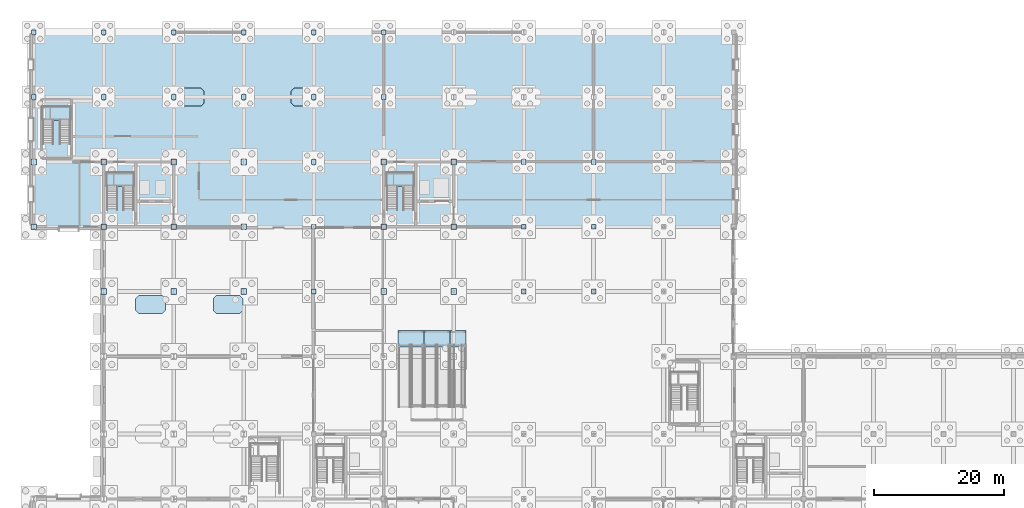
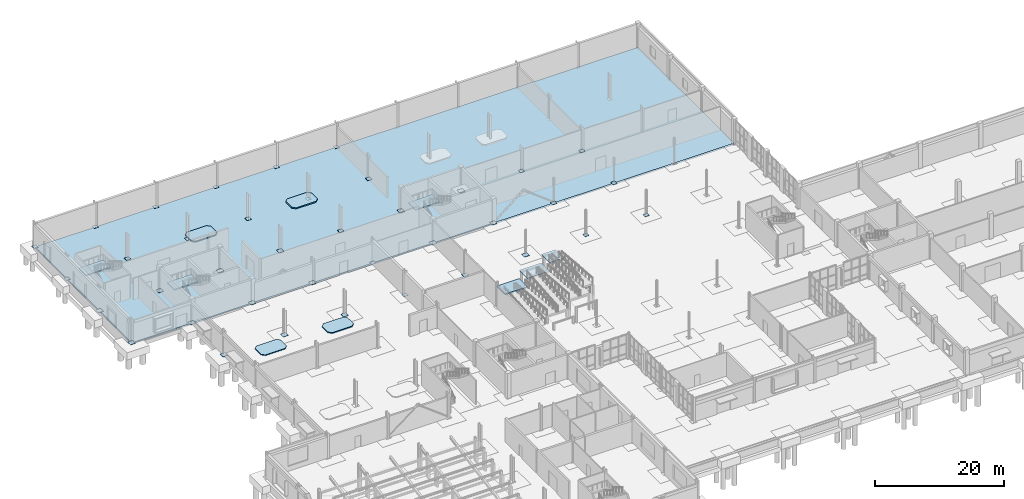
# One storey, part 43 of 73: 38 plates, 11 slabs, 4 elements without a shape of their own.
"""IFC4 building model written with IfcOpenShell, lengths in metres."""

import ifcopenshell
import ifcopenshell.guid

model = None  # the IFC model being written
_history = None  # IfcOwnerHistory: only IFC2X3 demands one
_inside = {}  # id of a spatial element -> (the spatial element, [elements in it])
_under = {}  # id of a project, library or spatial element -> (it, [spatial elements below it])
_declared = {}  # id of a project -> (the project, [libraries it declares])
_typed = {}  # id of a type object -> (the type object, [elements of that type])
_made_of = {}  # id of a material, layer set ... -> (it, [elements and type objects made of it])


def new_model(schema):
    """Start an empty IFC model of exactly this schema.

    Asked for "IFC4X3", IfcOpenShell would pick the latest addendum, in which some entities
    have other attributes; the version numbers below select the first issue.
    IFC2X3 requires an IfcOwnerHistory on every rooted entity: one is made here for all.
    """
    global model, _history
    if schema == "IFC4X3":
        model = ifcopenshell.file(schema_version=(4, 3, 0, 0))
    else:
        model = ifcopenshell.file(schema=schema)
    _inside.clear()
    _under.clear()
    _declared.clear()
    _typed.clear()
    _made_of.clear()
    _history = None
    if model.schema == "IFC2X3":
        org = make("IfcOrganization", Name="unknown")
        user = make(
            "IfcPersonAndOrganization",
            ThePerson=make("IfcPerson", FamilyName="unknown"),
            TheOrganization=org,
        )
        app = make(
            "IfcApplication",
            ApplicationDeveloper=org,
            Version="unknown",
            ApplicationFullName="unknown",
            ApplicationIdentifier="unknown",
        )
        _history = make(
            "IfcOwnerHistory",
            OwningUser=user,
            OwningApplication=app,
            ChangeAction="ADDED",
            CreationDate=0,
        )
    return model


def make(cls, **values):
    """One entity of the class cls with the attributes given. An attribute that is None is left unset."""
    return model.create_entity(
        cls, **{name: value for name, value in values.items() if value is not None}
    )


def rooted(cls, **values):
    """An entity with a GlobalId (a new one), such as an element, a storey or a relation."""
    return make(cls, GlobalId=ifcopenshell.guid.new(), OwnerHistory=_history, **values)


def si_unit(unit_type, name, prefix=None):
    """IfcSIUnit, for example si_unit("LENGTHUNIT", "METRE", prefix="MILLI")."""
    return make("IfcSIUnit", UnitType=unit_type, Prefix=prefix, Name=name)


def assignment(units):
    """IfcUnitAssignment: the units of a project."""
    return None if units is None else make("IfcUnitAssignment", Units=units)


def point(xyz):
    """IfcCartesianPoint."""
    return None if xyz is None else make("IfcCartesianPoint", Coordinates=xyz)


def direction(xyz):
    """IfcDirection."""
    return None if xyz is None else make("IfcDirection", DirectionRatios=xyz)


def frame(location, z_axis=None, x_axis=None):
    """IfcAxis2Placement3D, a coordinate frame: its origin and axes. An axis left out is left unset."""
    return make(
        "IfcAxis2Placement3D",
        Location=point(location),
        Axis=direction(z_axis),
        RefDirection=direction(x_axis),
    )


def frame_2d(location, x_axis=None):
    """IfcAxis2Placement2D, a coordinate frame in the plane: its origin and x axis."""
    return make(
        "IfcAxis2Placement2D", Location=point(location), RefDirection=direction(x_axis)
    )


def origin():
    """The frame at (0, 0, 0) with its axes left unset."""
    return frame((0.0, 0.0, 0.0))


def origin_2d():
    """The frame at (0, 0) in the plane with its x axis left unset."""
    return frame_2d((0.0, 0.0))


def place(relative_to, where):
    """IfcLocalPlacement: puts the frame where relative to a parent placement (None: the world)."""
    return make(
        "IfcLocalPlacement", PlacementRelTo=relative_to, RelativePlacement=where
    )


def context(
    kind, dimensions, precision=None, world=None, true_north=None, identifier=None
):
    """IfcGeometricRepresentationContext, for example the 3D "Model" context."""
    return make(
        "IfcGeometricRepresentationContext",
        ContextIdentifier=identifier,
        ContextType=kind,
        CoordinateSpaceDimension=dimensions,
        Precision=precision,
        WorldCoordinateSystem=world,
        TrueNorth=true_north,
    )


def subcontext(parent, identifier, kind, view, scale=None):
    """IfcGeometricRepresentationSubContext, for example "Body" below "Model"."""
    return make(
        "IfcGeometricRepresentationSubContext",
        ContextIdentifier=identifier,
        ContextType=kind,
        ParentContext=parent,
        TargetScale=scale,
        TargetView=view,
    )


def project(units=None, contexts=None):
    """IfcProject with its units and contexts."""
    return rooted(
        "IfcProject",
        Name="project",
        RepresentationContexts=contexts,
        UnitsInContext=assignment(units),
    )


def spatial(cls, under=None, at=None, **own):
    """A site, building, storey or space (cls), placed at a placement, below another one or the project."""
    s = rooted(cls, ObjectPlacement=at, **own)
    if under is not None:
        _under.setdefault(under.id(), (under, []))[1].append(s)
    return s


def polyline(points):
    """IfcPolyline through the points."""
    return make("IfcPolyline", Points=[point(p) for p in points])


def profile(cls, at=None, kind="AREA", **sizes):
    """A parametric profile (cls). Its sizes go by their IFC names, for example OverallWidth=200.0."""
    return make(cls, ProfileType=kind, Position=at, **sizes)


def rectangle(**sizes):
    """IfcRectangleProfileDef."""
    return profile("IfcRectangleProfileDef", **sizes)


def outline(outer, holes=None, kind="AREA"):
    """IfcArbitraryClosedProfileDef: a profile drawn as a closed curve; with holes, ...WithVoids."""
    if holes is None:
        return make("IfcArbitraryClosedProfileDef", ProfileType=kind, OuterCurve=outer)
    return make(
        "IfcArbitraryProfileDefWithVoids",
        ProfileType=kind,
        OuterCurve=outer,
        InnerCurves=holes,
    )


def extrude(swept, where, along, depth):
    """IfcExtrudedAreaSolid: the profile swept, set in the frame where, extruded along a direction by depth."""
    return make(
        "IfcExtrudedAreaSolid",
        SweptArea=swept,
        Position=where,
        ExtrudedDirection=direction(along),
        Depth=depth,
    )


def shape(context_of_items, identifier, shape_type, items):
    """IfcShapeRepresentation: the items that make up one representation, for example the "Body"."""
    return make(
        "IfcShapeRepresentation",
        ContextOfItems=context_of_items,
        RepresentationIdentifier=identifier,
        RepresentationType=shape_type,
        Items=items,
    )


def material(Name=None, Category=None):
    """IfcMaterial."""
    return make("IfcMaterial", Name=Name, Category=Category)


def layer(
    of_material, thickness, ventilated=None, Name=None, Category=None, Priority=None
):
    """IfcMaterialLayer: one layer of a wall or slab, of a material (None: an air gap)."""
    return make(
        "IfcMaterialLayer",
        Material=of_material,
        LayerThickness=thickness,
        IsVentilated=ventilated,
        Name=Name,
        Category=Category,
        Priority=Priority,
    )


def layer_set(layers, Name=None):
    """IfcMaterialLayerSet."""
    return make("IfcMaterialLayerSet", MaterialLayers=layers, LayerSetName=Name)


def made_of(thing, what):
    """Note that an element or type object is made of a material, layer set ...; save() writes the relation."""
    if what is not None:
        _made_of.setdefault(what.id(), (what, []))[1].append(thing)
    return thing


def type_object(cls, material=None, **own):
    """A type object (cls), such as IfcWallType, which elements share."""
    return made_of(rooted(cls, **own), material)


def element(
    cls,
    number,
    at=None,
    inside=None,
    cuts=None,
    type_object=None,
    material=None,
    context=None,
    identifier="Body",
    shape_type=None,
    held_by="IfcProductDefinitionShape",
    body=None,
    shapes=None,
    **own,
):
    """One element of the class cls, such as IfcWall. Its Tag is "e" and its number.

    at: its placement. inside: the storey or other place that contains it. cuts: it is an
    opening in that element (IfcRelVoidsElement). A single representation is given by context,
    identifier, shape_type and body (its items); several are given by shapes. held_by: the class
    of the entity that holds the representations. save() writes the other relations.
    """
    e = rooted(cls, Tag="e%d" % number, ObjectPlacement=at, **own)
    if body is not None:
        shapes = [shape(context, identifier, shape_type, body)]
    if shapes is not None:
        e.Representation = make(held_by, Representations=shapes)
    if inside is not None:
        _inside.setdefault(inside.id(), (inside, []))[1].append(e)
    if cuts is not None:
        rooted(
            "IfcRelVoidsElement", RelatingBuildingElement=cuts, RelatedOpeningElement=e
        )
    if type_object is not None:
        _typed.setdefault(type_object.id(), (type_object, []))[1].append(e)
    return made_of(e, material)


def aggregate(whole, parts):
    """IfcRelAggregates: a whole, such as a stair, and the parts it consists of."""
    return rooted("IfcRelAggregates", RelatingObject=whole, RelatedObjects=parts)


def save(model, path):
    """Write the relations noted so far, then the file.

    IfcRelAggregates (storeys below a building ...), IfcRelContainedInSpatialStructure (elements
    in a storey), IfcRelDefinesByType, IfcRelAssociatesMaterial and IfcRelDeclares: one each for
    every whole, place, type object, material and project.
    """
    for whole, parts in _under.values():
        aggregate(whole, parts)
    for where, things in _inside.values():
        rooted(
            "IfcRelContainedInSpatialStructure",
            RelatedElements=things,
            RelatingStructure=where,
        )
    for kind, things in _typed.values():
        rooted("IfcRelDefinesByType", RelatedObjects=things, RelatingType=kind)
    for what, things in _made_of.values():
        rooted("IfcRelAssociatesMaterial", RelatedObjects=things, RelatingMaterial=what)
    for by, libraries in _declared.values():
        rooted("IfcRelDeclares", RelatingContext=by, RelatedDefinitions=libraries)
    model.write(path)


model = new_model("IFC4")

# Units and contexts
model_context = context("Model", 3, precision=1e-05, world=origin(), true_north=direction((0.0, 1.0)))
body_context = subcontext(model_context, "Body", "Model", "MODEL_VIEW")
ifc_project = project(units=[si_unit("LENGTHUNIT", "METRE"), si_unit("AREAUNIT", "SQUARE_METRE"), si_unit("VOLUMEUNIT", "CUBIC_METRE"), si_unit("PLANEANGLEUNIT", "RADIAN"), si_unit("MASSUNIT", "GRAM", prefix="KILO")], contexts=[model_context])

# Site, building, storey
site_placement = place(None, origin())
site = spatial("IfcSite", under=ifc_project, at=site_placement, CompositionType="ELEMENT")
building_placement = place(site_placement, origin())
building = spatial("IfcBuilding", under=site, at=building_placement, Name="Tasgan Crest Museum", CompositionType="ELEMENT")
storey_placement = place(building_placement, origin())
storey = spatial("IfcBuildingStorey", under=building, at=storey_placement, Name="L00", CompositionType="ELEMENT", Elevation=0.0)

# Plates
ifc_material_1 = material(Name="Steel S355K2", Category="steel")
ifc_layer_1 = layer(ifc_material_1, 0.75, Name="PL-BASE-750")
ifc_layer_set_1 = layer_set([ifc_layer_1], Name="Steel S355K2")
plate_type_1 = type_object("IfcPlateType", Name="PL-BASE-750", PredefinedType="USERDEFINED", material=ifc_layer_set_1)
for number, where, z_axis, x_axis, name in (
    (1, (0.0, 102.0, 0.0), (0.0, 0.0, 1.0), (1.0, 0.0, 0.0), "Base plate 1/L"),
    (2, (0.0, 112.0, 0.0), (0.0, 0.0, 1.0), (1.0, 0.0, 0.0), "Base plate 1/M"),
    (3, (10.800048828125, 102.0, 0.0), (0.0, 0.0, 1.0), (1.0, 0.0, 0.0), "Base plate 2/L"),
    (4, (10.800048828125, 112.0, 0.0), (0.0, 0.0, 1.0), (1.0, 0.0, 0.0), "Base plate 2/M"),
    (5, (21.60009765625, 102.0, 0.0), (0.0, 0.0, 1.0), (1.0, 0.0, 0.0), "Base plate 3/L"),
    (6, (21.60009765625, 112.0, 0.0), (0.0, 0.0, 1.0), (1.0, 0.0, 0.0), "Base plate 3/M"),
    (7, (32.39990234375, 102.0, 0.0), (0.0, 0.0, 1.0), (1.0, 0.0, 0.0), "Base plate 4/L"),
    (8, (32.39990234375, 112.0, 0.0), (0.0, 0.0, 1.0), (1.0, 0.0, 0.0), "Base plate 4/M"),
    (9, (43.199951171875, 72.0, 0.0), (0.0, 0.0, 1.0), (1.0, 0.0, 0.0), "Base plate 5/H"),
    (10, (43.199951171875, 82.0, 0.0), (0.0, 0.0, 1.0), (1.0, 0.0, 0.0), "Base plate 5/J"),
    (11, (43.199951171875, 92.0, 0.0), (0.0, 0.0, 1.0), (1.0, 0.0, 0.0), "Base plate 5/K"),
    (12, (43.199951171875, 102.0, 0.0), (0.0, 0.0, 1.0), (1.0, 0.0, 0.0), "Base plate 5/L"),
    (13, (43.199951171875, 112.0, 0.0), (0.0, 0.0, 1.0), (1.0, 0.0, 0.0), "Base plate 5/M"),
    (14, (54.0, 102.0, 0.0), (0.0, 0.0, 1.0), (1.0, 0.0, 0.0), "Base plate 6/L"),
    (15, (54.0, 112.0, 0.0), (0.0, 0.0, 1.0), (1.0, 0.0, 0.0), "Base plate 6/M"),
    (16, (75.60009765625, 72.0, 0.0), (0.0, 0.0, 1.0), (1.0, 0.0, 0.0), "Base plate 8/H"),
    (17, (75.60009765625, 82.0, 0.0), (0.0, 0.0, 1.0), (1.0, 0.0, 0.0), "Base plate 8/J"),
    (18, (75.60009765625, 92.0, 0.0), (0.0, 0.0, 1.0), (1.0, 0.0, 0.0), "Base plate 8/K"),
    (19, (86.39990234375, 72.0, 0.0), (0.0, 0.0, 1.0), (1.0, 0.0, 0.0), "Base plate 9/H"),
    (20, (86.39990234375, 82.0, 0.0), (0.0, 0.0, 1.0), (1.0, 0.0, 0.0), "Base plate 9/J"),
    (21, (86.39990234375, 92.0, 0.0), (0.0, 0.0, 1.0), (1.0, 0.0, 0.0), "Base plate 9/K"),
):
    element("IfcPlate", number, at=place(storey_placement, frame(where, z_axis=z_axis, x_axis=x_axis)), inside=storey, type_object=plate_type_1, Name=name, ObjectType="BASE PLATE", PredefinedType="USERDEFINED", context=body_context, shape_type="SweptSolid", body=[
        extrude(rectangle(XDim=0.75, YDim=0.75, at=origin_2d()), origin(), (0.0, 0.0, 1.0), 0.031982421875),
    ])
ifc_material_2 = material(Name="Steel S355K2", Category="steel")
ifc_layer_2 = layer(ifc_material_2, 0.89990234375, Name="PL-BASE-900")
ifc_layer_set_2 = layer_set([ifc_layer_2], Name="Steel S355K2")
plate_type_2 = type_object("IfcPlateType", Name="PL-BASE-900", PredefinedType="USERDEFINED", material=ifc_layer_set_2)
for number, where, z_axis, x_axis, name in (
    (22, (0.0, 82.0, 0.0), (0.0, 0.0, 1.0), (1.0, 0.0, 0.0), "Base plate 1/J"),
    (23, (0.0, 92.0, 0.0), (0.0, 0.0, 1.0), (1.0, 0.0, 0.0), "Base plate 1/K"),
    (24, (10.800048828125, 72.0, 0.0), (0.0, 0.0, 1.0), (1.0, 0.0, 0.0), "Base plate 2/H"),
    (25, (10.800048828125, 82.0, 0.0), (0.0, 0.0, 1.0), (1.0, 0.0, 0.0), "Base plate 2/J"),
    (26, (10.800048828125, 92.0, 0.0), (0.0, 0.0, 1.0), (1.0, 0.0, 0.0), "Base plate 2/K"),
    (27, (21.60009765625, 72.0, 0.0), (0.0, 0.0, 1.0), (1.0, 0.0, 0.0), "Base plate 3/H"),
    (28, (21.60009765625, 82.0, 0.0), (0.0, 0.0, 1.0), (1.0, 0.0, 0.0), "Base plate 3/J"),
    (29, (21.60009765625, 92.0, 0.0), (0.0, 0.0, 1.0), (1.0, 0.0, 0.0), "Base plate 3/K"),
    (30, (32.39990234375, 72.0, 0.0), (0.0, 0.0, 1.0), (1.0, 0.0, 0.0), "Base plate 4/H"),
    (31, (32.39990234375, 82.0, 0.0), (0.0, 0.0, 1.0), (1.0, 0.0, 0.0), "Base plate 4/J"),
    (32, (32.39990234375, 92.0, 0.0), (0.0, 0.0, 1.0), (1.0, 0.0, 0.0), "Base plate 4/K"),
    (33, (54.0, 72.0, 0.0), (0.0, 0.0, 1.0), (1.0, 0.0, 0.0), "Base plate 6/H"),
    (34, (54.0, 82.0, 0.0), (0.0, 0.0, 1.0), (1.0, 0.0, 0.0), "Base plate 6/J"),
    (35, (54.0, 92.0, 0.0), (0.0, 0.0, 1.0), (1.0, 0.0, 0.0), "Base plate 6/K"),
    (36, (64.800048828125, 72.0, 0.0), (0.0, 0.0, 1.0), (1.0, 0.0, 0.0), "Base plate 7/H"),
    (37, (64.800048828125, 82.0, 0.0), (0.0, 0.0, 1.0), (1.0, 0.0, 0.0), "Base plate 7/J"),
    (38, (64.800048828125, 92.0, 0.0), (0.0, 0.0, 1.0), (1.0, 0.0, 0.0), "Base plate 7/K"),
):
    element("IfcPlate", number, at=place(storey_placement, frame(where, z_axis=z_axis, x_axis=x_axis)), inside=storey, type_object=plate_type_2, Name=name, ObjectType="BASE PLATE", PredefinedType="USERDEFINED", context=body_context, shape_type="SweptSolid", body=[
        extrude(rectangle(XDim=0.89990234375, YDim=0.89990234375, at=origin_2d()), origin(), (0.0, 0.0, 1.0), 0.035888671875),
    ])

# Slabs
ifc_material_3 = material(Name="Concrete C35/45", Category="concrete")
ifc_layer_3 = layer(ifc_material_3, 0.300048828125, Name="SL-BASE-300")
ifc_layer_set_3 = layer_set([ifc_layer_3], Name="Concrete C35/45")
slab_type_1 = type_object("IfcSlabType", Name="SL-BASE-300", PredefinedType="BASESLAB", material=ifc_layer_set_3)
slab_1_placement = place(storey_placement, frame((0.0, 0.0, -0.300048828125)))
element("IfcSlab", 39, at=slab_1_placement, inside=storey, type_object=slab_type_1, Name="Floor slab L00 V5", PredefinedType="BASESLAB", context=body_context, shape_type="SweptSolid", body=[
    extrude(outline(polyline([(0.0, 82.0), (108.0, 82.0), (108.0, 112.0), (0.0, 112.0), (0.0, 82.0)])), origin(), (0.0, 0.0, 1.0), 0.300048828125),
])
ifc_material_4 = material(Name="Concrete C35/45", Category="concrete")
ifc_layer_4 = layer(ifc_material_4, 0.159912109375, Name="SL-DAIS-T03")
ifc_layer_set_4 = layer_set([ifc_layer_4], Name="Concrete C35/45")
slab_type_2 = type_object("IfcSlabType", Name="SL-DAIS-T03", PredefinedType="FLOOR", material=ifc_layer_set_4)
slab_2_placement = place(storey_placement, origin())
element("IfcSlab", 40, at=slab_2_placement, inside=storey, type_object=slab_type_2, Name="Exhibition specimen dais L00-03", PredefinedType="FLOOR", context=body_context, shape_type="SweptSolid", body=[
    extrude(outline(polyline([(16.199951171875, 68.60009765625), (19.800048828125, 68.60009765625), (20.300048828125, 69.10009765625), (20.300048828125, 70.89990234375), (19.800048828125, 71.39990234375), (16.199951171875, 71.39990234375), (15.699951171875, 70.89990234375), (15.699951171875, 69.10009765625), (16.199951171875, 68.60009765625)])), origin(), (0.0, 0.0, 1.0), 0.159912109375),
])
ifc_material_5 = material(Name="Concrete C35/45", Category="concrete")
ifc_layer_5 = layer(ifc_material_5, 0.169921875, Name="SL-DAIS-T04")
ifc_layer_set_5 = layer_set([ifc_layer_5], Name="Concrete C35/45")
slab_type_3 = type_object("IfcSlabType", Name="SL-DAIS-T04", PredefinedType="FLOOR", material=ifc_layer_set_5)
slab_3_placement = place(storey_placement, origin())
element("IfcSlab", 41, at=slab_3_placement, inside=storey, type_object=slab_type_3, Name="Exhibition specimen dais L00-04", PredefinedType="FLOOR", context=body_context, shape_type="SweptSolid", body=[
    extrude(outline(polyline([(28.199951171875, 68.60009765625), (31.800048828125, 68.60009765625), (32.300048828125, 69.10009765625), (32.300048828125, 70.89990234375), (31.800048828125, 71.39990234375), (28.199951171875, 71.39990234375), (27.699951171875, 70.89990234375), (27.699951171875, 69.10009765625), (28.199951171875, 68.60009765625)])), origin(), (0.0, 0.0, 1.0), 0.169921875),
])
ifc_material_6 = material(Name="Concrete C35/45", Category="concrete")
ifc_layer_6 = layer(ifc_material_6, 0.18994140625, Name="SL-DAIS-T05")
ifc_layer_set_6 = layer_set([ifc_layer_6], Name="Concrete C35/45")
slab_type_4 = type_object("IfcSlabType", Name="SL-DAIS-T05", PredefinedType="FLOOR", material=ifc_layer_set_6)
slab_4_placement = place(storey_placement, origin())
element("IfcSlab", 42, at=slab_4_placement, inside=storey, type_object=slab_type_4, Name="Exhibition specimen dais L00-05", PredefinedType="FLOOR", context=body_context, shape_type="SweptSolid", body=[
    extrude(outline(polyline([(22.199951171875, 100.60009765625), (25.800048828125, 100.60009765625), (26.300048828125, 101.10009765625), (26.300048828125, 102.89990234375), (25.800048828125, 103.39990234375), (22.199951171875, 103.39990234375), (21.699951171875, 102.89990234375), (21.699951171875, 101.10009765625), (22.199951171875, 100.60009765625)])), origin(), (0.0, 0.0, 1.0), 0.18994140625),
])
ifc_material_7 = material(Name="Concrete C35/45", Category="concrete")
ifc_layer_7 = layer(ifc_material_7, 0.2099609375, Name="SL-DAIS-T06")
ifc_layer_set_7 = layer_set([ifc_layer_7], Name="Concrete C35/45")
slab_type_5 = type_object("IfcSlabType", Name="SL-DAIS-T06", PredefinedType="FLOOR", material=ifc_layer_set_7)
slab_5_placement = place(storey_placement, origin())
element("IfcSlab", 43, at=slab_5_placement, inside=storey, type_object=slab_type_5, Name="Exhibition specimen dais L00-06", PredefinedType="FLOOR", context=body_context, shape_type="SweptSolid", body=[
    extrude(outline(polyline([(40.199951171875, 100.60009765625), (43.800048828125, 100.60009765625), (44.300048828125, 101.10009765625), (44.300048828125, 102.89990234375), (43.800048828125, 103.39990234375), (40.199951171875, 103.39990234375), (39.699951171875, 102.89990234375), (39.699951171875, 101.10009765625), (40.199951171875, 100.60009765625)])), origin(), (0.0, 0.0, 1.0), 0.2099609375),
])

# Stair, slab
ifc_material_8 = material(Name="Concrete C35/45", Category="concrete")
stair_type = type_object("IfcStairType", Name="ST-CORE-48", PredefinedType="HALF_TURN_STAIR", material=ifc_material_8)
stair_1_placement = place(storey_placement, origin())
stair_1 = element("IfcStair", 44, at=stair_1_placement, inside=storey, type_object=stair_type, Name="Stair ST-NW-L00 L00", PredefinedType="HALF_TURN_STAIR")
ifc_material_9 = material(Name="Concrete C35/45", Category="concrete")
ifc_layer_8 = layer(ifc_material_9, 0.199951171875, Name="SL-LAND-200")
ifc_layer_set_8 = layer_set([ifc_layer_8], Name="Concrete C35/45")
slab_type_6 = type_object("IfcSlabType", Name="SL-LAND-200", PredefinedType="LANDING", material=ifc_layer_set_8)
slab_6_placement = place(storey_placement, frame((0.0, 0.0, 2.199951171875)))
slab_6 = element("IfcSlab", 45, at=slab_6_placement, type_object=slab_type_6, Name="ST-NW-L00 landing 1", PredefinedType="LANDING", context=body_context, shape_type="SweptSolid", body=[
    extrude(outline(polyline([(11.219970703125, 88.205078125), (15.530029296875, 88.205078125), (15.530029296875, 90.455078125), (11.219970703125, 90.455078125), (11.219970703125, 88.205078125)])), origin(), (0.0, 0.0, 1.0), 0.199951171875),
])
aggregate(stair_1, [slab_6])

stair_2_placement = place(storey_placement, origin())
stair_2 = element("IfcStair", 46, at=stair_2_placement, inside=storey, type_object=stair_type, Name="Stair ST-NC-L00 L00", PredefinedType="HALF_TURN_STAIR")
slab_7_placement = place(storey_placement, frame((0.0, 0.0, 2.199951171875)))
slab_7 = element("IfcSlab", 47, at=slab_7_placement, type_object=slab_type_6, Name="ST-NC-L00 landing 1", PredefinedType="LANDING", context=body_context, shape_type="SweptSolid", body=[
    extrude(outline(polyline([(54.419921875, 88.205078125), (58.72998046875, 88.205078125), (58.72998046875, 90.455078125), (54.419921875, 90.455078125), (54.419921875, 88.205078125)])), origin(), (0.0, 0.0, 1.0), 0.199951171875),
])
aggregate(stair_2, [slab_7])

stair_3_placement = place(storey_placement, origin())
stair_3 = element("IfcStair", 48, at=stair_3_placement, inside=storey, type_object=stair_type, Name="Stair ST-GW-L00 L00", PredefinedType="HALF_TURN_STAIR")
slab_8_placement = place(storey_placement, frame((0.0, 0.0, 2.199951171875)))
slab_8 = element("IfcSlab", 49, at=slab_8_placement, type_object=slab_type_6, Name="ST-GW-L00 landing 1", PredefinedType="LANDING", context=body_context, shape_type="SweptSolid", body=[
    extrude(outline(polyline([(1.300048828125, 98.405029296875), (5.699951171875, 98.405029296875), (5.699951171875, 100.655029296875), (1.300048828125, 100.655029296875), (1.300048828125, 98.405029296875)])), origin(), (0.0, 0.0, 1.0), 0.199951171875),
])
aggregate(stair_3, [slab_8])

# Ramp, slabs
ifc_material_10 = material(Name="Concrete C35/45", Category="concrete")
ramp_type = type_object("IfcRampType", Name="RMP-ATRIUM-12", PredefinedType="HALF_TURN_RAMP", material=ifc_material_10)
ramp_placement = place(storey_placement, origin())
ramp = element("IfcRamp", 50, at=ramp_placement, inside=storey, type_object=ramp_type, Name="Winter-garden accessible switchback ramp", PredefinedType="HALF_TURN_RAMP")
slab_9_placement = place(storey_placement, frame((0.0, 0.0, 0.60009765625)))
slab_9 = element("IfcSlab", 51, at=slab_9_placement, type_object=slab_type_6, Name="Winter-garden ramp landing 1", PredefinedType="LANDING", context=body_context, shape_type="SweptSolid", body=[
    extrude(outline(polyline([(56.199951171875, 63.449951171875), (60.199951171875, 63.449951171875), (60.199951171875, 66.0), (56.199951171875, 66.0), (56.199951171875, 63.449951171875)])), origin(), (0.0, 0.0, 1.0), 0.199951171875),
])
slab_10_placement = place(storey_placement, frame((0.0, 0.0, 2.199951171875)))
slab_10 = element("IfcSlab", 52, at=slab_10_placement, type_object=slab_type_6, Name="Winter-garden ramp landing 3", PredefinedType="LANDING", context=body_context, shape_type="SweptSolid", body=[
    extrude(outline(polyline([(60.199951171875, 63.449951171875), (64.199951171875, 63.449951171875), (64.199951171875, 66.0), (60.199951171875, 66.0), (60.199951171875, 63.449951171875)])), origin(), (0.0, 0.0, 1.0), 0.199951171875),
])
slab_11_placement = place(storey_placement, frame((0.0, 0.0, 3.800048828125)))
slab_11 = element("IfcSlab", 53, at=slab_11_placement, type_object=slab_type_6, Name="Winter-garden ramp landing 5", PredefinedType="LANDING", context=body_context, shape_type="SweptSolid", body=[
    extrude(outline(polyline([(64.199951171875, 63.449951171875), (66.699951171875, 63.449951171875), (66.699951171875, 66.0), (64.199951171875, 66.0), (64.199951171875, 63.449951171875)])), origin(), (0.0, 0.0, 1.0), 0.199951171875),
])
aggregate(ramp, [slab_9, slab_10, slab_11])

save(model, "model.ifc")
